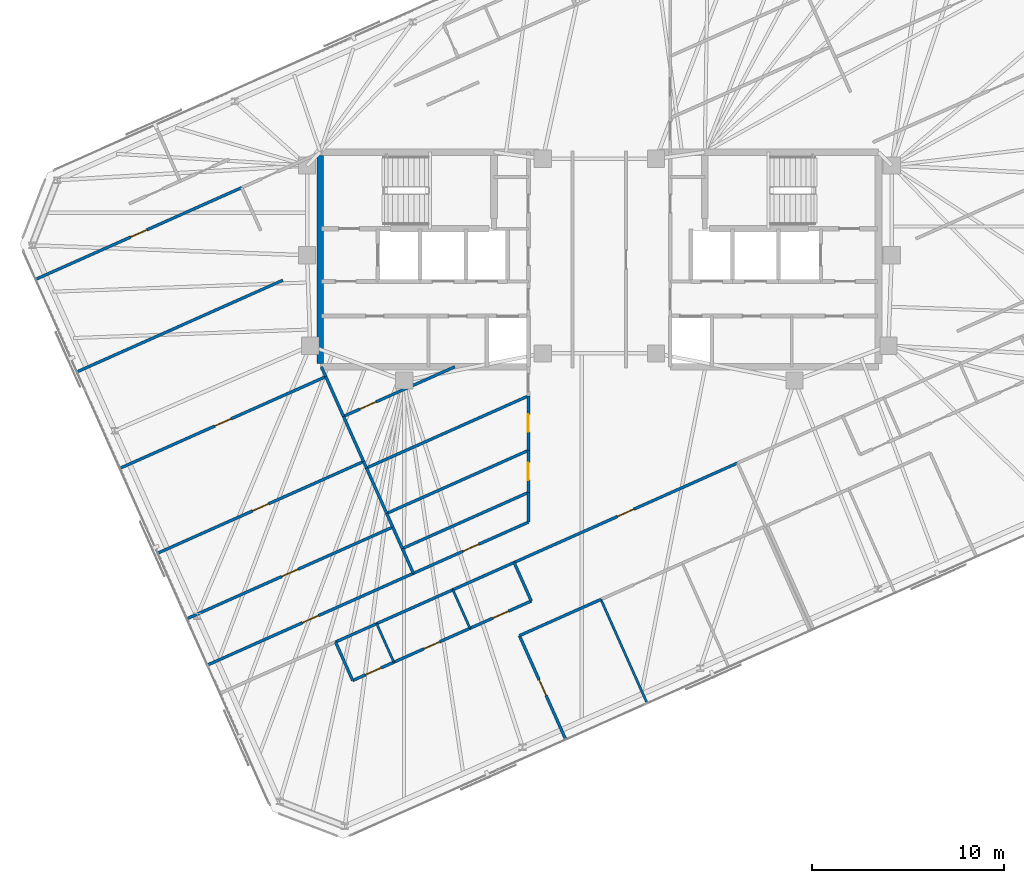
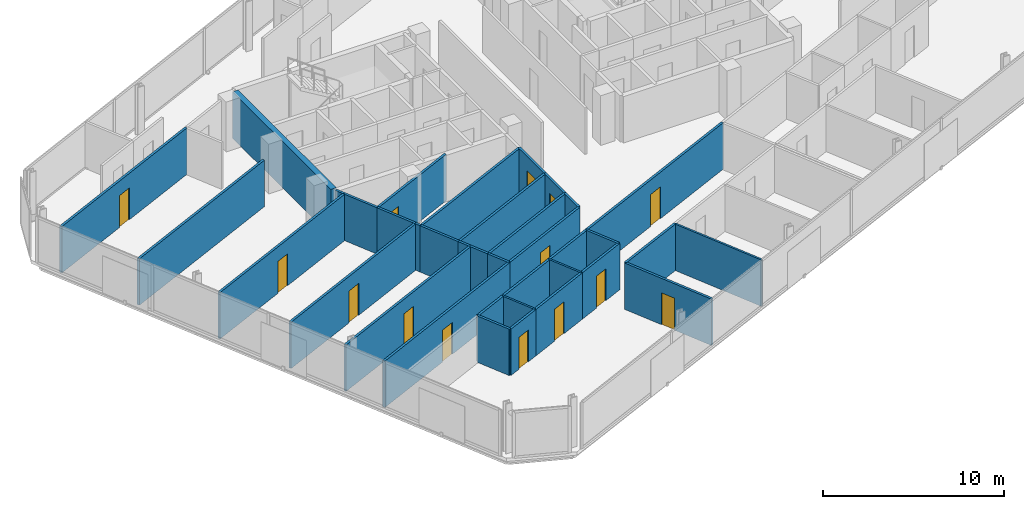
# One storey, part 13 of 19: 37 walls, 14 doors, 14 openings.
"""IFC4 building model written with IfcOpenShell, lengths in metres."""

from ifc_helpers import new_model, si_unit, direction, frame, frame_2d, origin, place, context, subcontext, project, spatial, rectangle, extrude, material, layer, layer_set, type_object, element, fill, save


model = new_model("IFC4")

# Units and contexts
model_context = context("Model", 3, precision=1e-05, world=origin(), true_north=direction((0.0, 1.0)))
body_context = subcontext(model_context, "Body", "Model", "MODEL_VIEW")
ifc_project = project(units=[si_unit("LENGTHUNIT", "METRE"), si_unit("AREAUNIT", "SQUARE_METRE"), si_unit("VOLUMEUNIT", "CUBIC_METRE"), si_unit("PLANEANGLEUNIT", "RADIAN"), si_unit("MASSUNIT", "GRAM", prefix="KILO")], contexts=[model_context])

# Site, building, storey
site_placement = place(None, origin())
site = spatial("IfcSite", under=ifc_project, at=site_placement, CompositionType="ELEMENT")
building_placement = place(site_placement, origin())
building = spatial("IfcBuilding", under=site, at=building_placement, Name="Menara Jurai Vektor", CompositionType="ELEMENT")
storey_placement = place(building_placement, frame((0.0, 0.0, 281.89990234375)))
storey = spatial("IfcBuildingStorey", under=building, at=storey_placement, Name="L75", CompositionType="ELEMENT", Elevation=281.89990234375)

# Wall, opening, door
ifc_material_1 = material(Name="Gypsum Fireboard Partition", Category="gypsum")
ifc_layer_1 = layer(ifc_material_1, 0.14990234375)
ifc_layer_set_1 = layer_set([ifc_layer_1], Name="Gypsum Fireboard Partition")
wall_type_1 = type_object("IfcWallType", Name="INT-WALL-CORR-150", PredefinedType="PARTITIONING", material=ifc_layer_set_1)
wall_1_placement = place(storey_placement, frame((-4.445068359375, -15.808349609375, 0.0), z_axis=(0.0, 0.0, 1.0), x_axis=(0.913546853922, 0.406733506966, 0.0)))
wall_1 = element("IfcWall", 1, at=wall_1_placement, inside=storey, type_object=wall_type_1, Name="Interior Wall IW-150 L75", PredefinedType="PARTITIONING", context=body_context, shape_type="SweptSolid", body=[
    extrude(rectangle(XDim=12.7509765625, YDim=0.14990234375, at=frame_2d((6.37548828125, 0.0))), origin(), (0.0, 0.0, 1.0), 3.125),
])
opening_1_placement = place(wall_1_placement, frame((5.900390625, 0.0, 0.0)))
opening_1 = element("IfcOpeningElement", 2, at=opening_1_placement, cuts=wall_1, Name="Opening D75-12", PredefinedType="OPENING", context=body_context, shape_type="SweptSolid", body=[
    extrude(rectangle(XDim=0.949951171875, YDim=2.14990234375, at=frame_2d((0.47509765625, 1.074951171875))), frame((0.0, 0.0849609375, 0.0), z_axis=(0.0, -1.0, 0.0), x_axis=(1.0, 0.0, 0.0)), (0.0, 0.0, 1.0), 0.169921875),
])
ifc_material_2 = material(Name="Solid Core Timber Fire Door", Category="wood")
door_type_1 = type_object("IfcDoorType", Name="DR-ENTRY-950", OperationType="NOTDEFINED", PredefinedType="DOOR", material=ifc_material_2)
door_1_placement = place(opening_1_placement, origin())
door_1 = element("IfcDoor", 3, at=door_1_placement, inside=storey, type_object=door_type_1, Name="Interior Door D75-12", OperationType="SINGLE_SWING_LEFT", OverallHeight=2.14990234375, OverallWidth=0.949951171875, PredefinedType="DOOR", context=body_context, shape_type="SweptSolid", body=[
    extrude(rectangle(XDim=0.949951171875, YDim=2.14990234375, at=frame_2d((0.47509765625, 1.074951171875))), frame((0.0, 0.02490234375, 0.0), z_axis=(0.0, -1.0, 0.0), x_axis=(1.0, 0.0, 0.0)), (0.0, 0.0, 1.0), 0.050048828125),
])
fill(opening_1, door_1)

# Walls
wall_2_placement = place(storey_placement, frame((-13.76318359375, -19.95703125, 0.0), z_axis=(0.0, 0.0, 1.0), x_axis=(0.913541436194, 0.406745675276, 0.0)))
element("IfcWall", 4, at=wall_2_placement, inside=storey, type_object=wall_type_1, Name="Interior Wall IW-150 L75", PredefinedType="PARTITIONING", context=body_context, shape_type="SweptSolid", body=[
    extrude(rectangle(XDim=2.349853515625, YDim=0.14990234375, at=frame_2d((1.1748046875, 0.0))), origin(), (0.0, 0.0, 1.0), 3.125),
])
wall_3_placement = place(storey_placement, frame((-11.616455078125, -19.001220703125, 0.0), z_axis=(0.0, 0.0, 1.0), x_axis=(0.913545193015, 0.406737237438, 0.0)))
element("IfcWall", 5, at=wall_3_placement, inside=storey, type_object=wall_type_1, Name="Interior Wall IW-150 L75", PredefinedType="PARTITIONING", context=body_context, shape_type="SweptSolid", body=[
    extrude(rectangle(XDim=4.349853515625, YDim=0.14990234375, at=frame_2d((2.1748046875, 0.0))), origin(), (0.0, 0.0, 1.0), 3.125),
])
wall_4_placement = place(storey_placement, frame((-7.642578125, -17.23193359375, 0.0), z_axis=(0.0, 0.0, 1.0), x_axis=(0.913549606868, 0.406727323635, 0.0)))
element("IfcWall", 6, at=wall_4_placement, inside=storey, type_object=wall_type_1, Name="Interior Wall IW-150 L75", PredefinedType="PARTITIONING", context=body_context, shape_type="SweptSolid", body=[
    extrude(rectangle(XDim=3.5, YDim=0.14990234375, at=frame_2d((1.75, 0.0))), origin(), (0.0, 0.0, 1.0), 3.125),
])

# Wall, opening, door
wall_5_placement = place(storey_placement, frame((-20.4453125, -21.15869140625, 0.0), z_axis=(0.0, 0.0, 1.0), x_axis=(0.913547681516, 0.406731648137, 0.0)))
wall_5 = element("IfcWall", 7, at=wall_5_placement, inside=storey, type_object=wall_type_1, Name="Interior Wall IW-150 L75", PredefinedType="PARTITIONING", context=body_context, shape_type="SweptSolid", body=[
    extrude(rectangle(XDim=11.760009765625, YDim=0.14990234375, at=frame_2d((5.8798828125, 0.0))), origin(), (0.0, 0.0, 1.0), 3.125),
])
opening_2_placement = place(wall_5_placement, frame((5.419921875, 0.0, 0.0)))
opening_2 = element("IfcOpeningElement", 8, at=opening_2_placement, cuts=wall_5, Name="Opening D75-25", PredefinedType="OPENING", context=body_context, shape_type="SweptSolid", body=[
    extrude(rectangle(XDim=0.919921875, YDim=2.14990234375, at=frame_2d((0.4599609375, 1.074951171875))), frame((0.0, 0.0849609375, 0.0), z_axis=(0.0, -1.0, 0.0), x_axis=(1.0, 0.0, 0.0)), (0.0, 0.0, 1.0), 0.169921875),
])
door_2_placement = place(opening_2_placement, origin())
door_2 = element("IfcDoor", 9, at=door_2_placement, inside=storey, type_object=door_type_1, Name="Interior Door D75-25", OperationType="SINGLE_SWING_RIGHT", OverallHeight=2.14990234375, OverallWidth=0.919921875, PredefinedType="DOOR", context=body_context, shape_type="SweptSolid", body=[
    extrude(rectangle(XDim=0.919921875, YDim=2.14990234375, at=frame_2d((0.4599609375, 1.074951171875))), frame((0.0, 0.02490234375, 0.0), z_axis=(0.0, -1.0, 0.0), x_axis=(1.0, 0.0, 0.0)), (0.0, 0.0, 1.0), 0.050048828125),
])
fill(opening_2, door_2)

wall_6_placement = place(storey_placement, frame((-29.404296875, -1.0361328125, 0.0), z_axis=(0.0, 0.0, 1.0), x_axis=(0.913544247064, 0.406739362069, 0.0)))
wall_6 = element("IfcWall", 10, at=wall_6_placement, inside=storey, type_object=wall_type_1, Name="Interior Wall IW-150 L75", PredefinedType="PARTITIONING", context=body_context, shape_type="SweptSolid", body=[
    extrude(rectangle(XDim=11.759765625, YDim=0.14990234375, at=frame_2d((5.8798828125, 0.0))), origin(), (0.0, 0.0, 1.0), 3.125),
])
opening_3_placement = place(wall_6_placement, frame((5.419921875, 0.0, 0.0)))
opening_3 = element("IfcOpeningElement", 11, at=opening_3_placement, cuts=wall_6, Name="Opening D75-29", PredefinedType="OPENING", context=body_context, shape_type="SweptSolid", body=[
    extrude(rectangle(XDim=0.919921875, YDim=2.14990234375, at=frame_2d((0.4599609375, 1.074951171875))), frame((0.0, 0.0849609375, 0.0), z_axis=(0.0, -1.0, 0.0), x_axis=(1.0, 0.0, 0.0)), (0.0, 0.0, 1.0), 0.169921875),
])
door_3_placement = place(opening_3_placement, origin())
door_3 = element("IfcDoor", 12, at=door_3_placement, inside=storey, type_object=door_type_1, Name="Interior Door D75-29", OperationType="SINGLE_SWING_RIGHT", OverallHeight=2.14990234375, OverallWidth=0.919921875, PredefinedType="DOOR", context=body_context, shape_type="SweptSolid", body=[
    extrude(rectangle(XDim=0.919921875, YDim=2.14990234375, at=frame_2d((0.4599609375, 1.074951171875))), frame((0.0, 0.02490234375, 0.0), z_axis=(0.0, -1.0, 0.0), x_axis=(1.0, 0.0, 0.0)), (0.0, 0.0, 1.0), 0.050048828125),
])
fill(opening_3, door_3)

wall_7_placement = place(storey_placement, frame((-9.701904296875, -16.37548828125, 0.0), z_axis=(0.0, 0.0, 1.0), x_axis=(0.913552389019, 0.406721074594, 0.0)))
wall_7 = element("IfcWall", 13, at=wall_7_placement, inside=storey, type_object=wall_type_1, Name="Interior Wall IW-150 L75", PredefinedType="PARTITIONING", context=body_context, shape_type="SweptSolid", body=[
    extrude(rectangle(XDim=6.56982421875, YDim=0.14990234375, at=frame_2d((3.284912109375, 0.0))), origin(), (0.0, 0.0, 1.0), 3.125),
])
opening_4_placement = place(wall_7_placement, frame((2.824951171875, 0.0, 0.0)))
opening_4 = element("IfcOpeningElement", 14, at=opening_4_placement, cuts=wall_7, Name="Opening D75-32", PredefinedType="OPENING", context=body_context, shape_type="SweptSolid", body=[
    extrude(rectangle(XDim=0.919921875, YDim=2.14990234375, at=frame_2d((0.4599609375, 1.074951171875))), frame((0.0, 0.0849609375, 0.0), z_axis=(0.0, -1.0, 0.0), x_axis=(1.0, 0.0, 0.0)), (0.0, 0.0, 1.0), 0.169921875),
])
door_4_placement = place(opening_4_placement, origin())
door_4 = element("IfcDoor", 15, at=door_4_placement, inside=storey, type_object=door_type_1, Name="Interior Door D75-32", OperationType="SINGLE_SWING_LEFT", OverallHeight=2.14990234375, OverallWidth=0.919921875, PredefinedType="DOOR", context=body_context, shape_type="SweptSolid", body=[
    extrude(rectangle(XDim=0.919921875, YDim=2.14990234375, at=frame_2d((0.4599609375, 1.074951171875))), frame((0.0, 0.02490234375, 0.0), z_axis=(0.0, -1.0, 0.0), x_axis=(1.0, 0.0, 0.0)), (0.0, 0.0, 1.0), 0.050048828125),
])
fill(opening_4, door_4)

# Wall
wall_8_placement = place(storey_placement, frame((-3.699951171875, -13.703369140625, 0.0), z_axis=(0.0, 0.0, 1.0), x_axis=(-0.000157529929, 0.999999987592, 0.0)))
element("IfcWall", 16, at=wall_8_placement, inside=storey, type_object=wall_type_1, Name="Interior Wall IW-150 L75", PredefinedType="PARTITIONING", context=body_context, shape_type="SweptSolid", body=[
    extrude(rectangle(XDim=1.5498046875, YDim=0.14990234375, at=frame_2d((0.77490234375, 0.0))), origin(), (0.0, 0.0, 1.0), 3.125),
])

# Wall, opening, door
wall_9_placement = place(storey_placement, frame((-3.7001953125, -12.153564453125, 0.0), z_axis=(0.0, 0.0, 1.0), x_axis=(0.000111222333, 0.999999993815, 0.0)))
wall_9 = element("IfcWall", 17, at=wall_9_placement, inside=storey, type_object=wall_type_1, Name="Interior Wall IW-150 L75", PredefinedType="PARTITIONING", context=body_context, shape_type="SweptSolid", body=[
    extrude(rectangle(XDim=2.195068359375, YDim=0.14990234375, at=frame_2d((1.09765625, 0.0))), origin(), (0.0, 0.0, 1.0), 3.125),
])
opening_5_placement = place(wall_9_placement, frame((0.637451171875, 0.0, 0.0)))
opening_5 = element("IfcOpeningElement", 18, at=opening_5_placement, cuts=wall_9, Name="Opening D75-33", PredefinedType="OPENING", context=body_context, shape_type="SweptSolid", body=[
    extrude(rectangle(XDim=0.919921875, YDim=2.14990234375, at=frame_2d((0.4599609375, 1.074951171875))), frame((0.0, 0.0849609375, 0.0), z_axis=(0.0, -1.0, 0.0), x_axis=(1.0, 0.0, 0.0)), (0.0, 0.0, 1.0), 0.169921875),
])
door_5_placement = place(opening_5_placement, origin())
door_5 = element("IfcDoor", 19, at=door_5_placement, inside=storey, type_object=door_type_1, Name="Interior Door D75-33", OperationType="SINGLE_SWING_RIGHT", OverallHeight=2.14990234375, OverallWidth=0.919921875, PredefinedType="DOOR", context=body_context, shape_type="SweptSolid", body=[
    extrude(rectangle(XDim=0.919921875, YDim=2.14990234375, at=frame_2d((0.4599609375, 1.074951171875))), frame((0.0, 0.02490234375, 0.0), z_axis=(0.0, -1.0, 0.0), x_axis=(1.0, 0.0, 0.0)), (0.0, 0.0, 1.0), 0.050048828125),
])
fill(opening_5, door_5)

wall_10_placement = place(storey_placement, frame((-3.699951171875, -9.95849609375, 0.0), z_axis=(0.0, 0.0, 1.0), x_axis=(-0.000171909917, 0.999999985223, 0.0)))
wall_10 = element("IfcWall", 20, at=wall_10_placement, inside=storey, type_object=wall_type_1, Name="Interior Wall IW-150 L75", PredefinedType="PARTITIONING", context=body_context, shape_type="SweptSolid", body=[
    extrude(rectangle(XDim=2.84033203125, YDim=0.14990234375, at=frame_2d((1.420166015625, 0.0))), origin(), (0.0, 0.0, 1.0), 3.125),
])
opening_6_placement = place(wall_10_placement, frame((0.960205078125, 0.0, 0.0)))
opening_6 = element("IfcOpeningElement", 21, at=opening_6_placement, cuts=wall_10, Name="Opening D75-34", PredefinedType="OPENING", context=body_context, shape_type="SweptSolid", body=[
    extrude(rectangle(XDim=0.919921875, YDim=2.14990234375, at=frame_2d((0.4599609375, 1.074951171875))), frame((0.0, 0.0849609375, 0.0), z_axis=(0.0, -1.0, 0.0), x_axis=(1.0, 0.0, 0.0)), (0.0, 0.0, 1.0), 0.169921875),
])
door_6_placement = place(opening_6_placement, origin())
door_6 = element("IfcDoor", 22, at=door_6_placement, inside=storey, type_object=door_type_1, Name="Interior Door D75-34", OperationType="SINGLE_SWING_LEFT", OverallHeight=2.14990234375, OverallWidth=0.919921875, PredefinedType="DOOR", context=body_context, shape_type="SweptSolid", body=[
    extrude(rectangle(XDim=0.919921875, YDim=2.14990234375, at=frame_2d((0.4599609375, 1.074951171875))), frame((0.0, 0.02490234375, 0.0), z_axis=(0.0, -1.0, 0.0), x_axis=(1.0, 0.0, 0.0)), (0.0, 0.0, 1.0), 0.050048828125),
])
fill(opening_6, door_6)

# Wall
wall_11_placement = place(storey_placement, frame((-12.868408203125, -21.966796875, 0.0), z_axis=(0.0, 0.0, 1.0), x_axis=(-0.406725294076, 0.913550510459, 0.0)))
element("IfcWall", 23, at=wall_11_placement, inside=storey, type_object=wall_type_1, Name="Interior Wall IW-150 L75", PredefinedType="PARTITIONING", context=body_context, shape_type="SweptSolid", body=[
    extrude(rectangle(XDim=2.199951171875, YDim=0.14990234375, at=frame_2d((1.10009765625, 0.0))), origin(), (0.0, 0.0, 1.0), 3.125),
])

# Wall, opening, door
wall_12_placement = place(storey_placement, frame((-12.868408203125, -21.966796875, 0.0), z_axis=(0.0, 0.0, 1.0), x_axis=(0.913541436194, 0.406745675276, 0.0)))
wall_12 = element("IfcWall", 24, at=wall_12_placement, inside=storey, type_object=wall_type_1, Name="Interior Wall IW-150 L75", PredefinedType="PARTITIONING", context=body_context, shape_type="SweptSolid", body=[
    extrude(rectangle(XDim=2.349853515625, YDim=0.14990234375, at=frame_2d((1.1748046875, 0.0))), origin(), (0.0, 0.0, 1.0), 3.125),
])
opening_7_placement = place(wall_12_placement, frame((0.735107421875, 0.0, 0.0)))
opening_7 = element("IfcOpeningElement", 25, at=opening_7_placement, cuts=wall_12, Name="Opening D75-13", PredefinedType="OPENING", context=body_context, shape_type="SweptSolid", body=[
    extrude(rectangle(XDim=0.8798828125, YDim=2.14990234375, at=frame_2d((0.43994140625, 1.074951171875))), frame((0.0, 0.0849609375, 0.0), z_axis=(0.0, -1.0, 0.0), x_axis=(1.0, 0.0, 0.0)), (0.0, 0.0, 1.0), 0.169921875),
])
ifc_material_3 = material(Name="Moisture-Resistant Timber Door", Category="wood")
door_type_2 = type_object("IfcDoorType", Name="DR-BATH-880", OperationType="NOTDEFINED", PredefinedType="DOOR", material=ifc_material_3)
door_7_placement = place(opening_7_placement, origin())
door_7 = element("IfcDoor", 26, at=door_7_placement, inside=storey, type_object=door_type_2, Name="Interior Door D75-13", OperationType="SINGLE_SWING_RIGHT", OverallHeight=2.14990234375, OverallWidth=0.8798828125, PredefinedType="DOOR", context=body_context, shape_type="SweptSolid", body=[
    extrude(rectangle(XDim=0.8798828125, YDim=2.14990234375, at=frame_2d((0.43994140625, 1.074951171875))), frame((0.0, 0.02490234375, 0.0), z_axis=(0.0, -1.0, 0.0), x_axis=(1.0, 0.0, 0.0)), (0.0, 0.0, 1.0), 0.050048828125),
])
fill(opening_7, door_7)

wall_13_placement = place(storey_placement, frame((-10.7216796875, -21.010986328125, 0.0), z_axis=(0.0, 0.0, 1.0), x_axis=(0.913545193015, 0.406737237438, 0.0)))
wall_13 = element("IfcWall", 27, at=wall_13_placement, inside=storey, type_object=wall_type_1, Name="Interior Wall IW-150 L75", PredefinedType="PARTITIONING", context=body_context, shape_type="SweptSolid", body=[
    extrude(rectangle(XDim=4.349853515625, YDim=0.14990234375, at=frame_2d((2.1748046875, 0.0))), origin(), (0.0, 0.0, 1.0), 3.125),
])
opening_8_placement = place(wall_13_placement, frame((1.72509765625, 0.0, 0.0)))
opening_8 = element("IfcOpeningElement", 28, at=opening_8_placement, cuts=wall_13, Name="Opening D75-14", PredefinedType="OPENING", context=body_context, shape_type="SweptSolid", body=[
    extrude(rectangle(XDim=0.89990234375, YDim=2.14990234375, at=frame_2d((0.449951171875, 1.074951171875))), frame((0.0, 0.0849609375, 0.0), z_axis=(0.0, -1.0, 0.0), x_axis=(1.0, 0.0, 0.0)), (0.0, 0.0, 1.0), 0.169921875),
])
ifc_material_4 = material(Name="Acoustic Timber Interior Door", Category="wood")
door_type_3 = type_object("IfcDoorType", Name="DR-ROOM-900", OperationType="NOTDEFINED", PredefinedType="DOOR", material=ifc_material_4)
door_8_placement = place(opening_8_placement, origin())
door_8 = element("IfcDoor", 29, at=door_8_placement, inside=storey, type_object=door_type_3, Name="Interior Door D75-14", OperationType="SINGLE_SWING_LEFT", OverallHeight=2.14990234375, OverallWidth=0.89990234375, PredefinedType="DOOR", context=body_context, shape_type="SweptSolid", body=[
    extrude(rectangle(XDim=0.89990234375, YDim=2.14990234375, at=frame_2d((0.449951171875, 1.074951171875))), frame((0.0, 0.02490234375, 0.0), z_axis=(0.0, -1.0, 0.0), x_axis=(1.0, 0.0, 0.0)), (0.0, 0.0, 1.0), 0.050048828125),
])
fill(opening_8, door_8)

wall_14_placement = place(storey_placement, frame((-6.747802734375, -19.24169921875, 0.0), z_axis=(0.0, 0.0, 1.0), x_axis=(0.913549606868, 0.406727323635, 0.0)))
wall_14 = element("IfcWall", 30, at=wall_14_placement, inside=storey, type_object=wall_type_1, Name="Interior Wall IW-150 L75", PredefinedType="PARTITIONING", context=body_context, shape_type="SweptSolid", body=[
    extrude(rectangle(XDim=3.5, YDim=0.14990234375, at=frame_2d((1.75, 0.0))), origin(), (0.0, 0.0, 1.0), 3.125),
])
opening_9_placement = place(wall_14_placement, frame((1.31005859375, 0.0, 0.0)))
opening_9 = element("IfcOpeningElement", 31, at=opening_9_placement, cuts=wall_14, Name="Opening D75-15", PredefinedType="OPENING", context=body_context, shape_type="SweptSolid", body=[
    extrude(rectangle(XDim=0.8798828125, YDim=2.14990234375, at=frame_2d((0.43994140625, 1.074951171875))), frame((0.0, 0.0849609375, 0.0), z_axis=(0.0, -1.0, 0.0), x_axis=(1.0, 0.0, 0.0)), (0.0, 0.0, 1.0), 0.169921875),
])
door_9_placement = place(opening_9_placement, origin())
door_9 = element("IfcDoor", 32, at=door_9_placement, inside=storey, type_object=door_type_2, Name="Interior Door D75-15", OperationType="SINGLE_SWING_RIGHT", OverallHeight=2.14990234375, OverallWidth=0.8798828125, PredefinedType="DOOR", context=body_context, shape_type="SweptSolid", body=[
    extrude(rectangle(XDim=0.8798828125, YDim=2.14990234375, at=frame_2d((0.43994140625, 1.074951171875))), frame((0.0, 0.02490234375, 0.0), z_axis=(0.0, -1.0, 0.0), x_axis=(1.0, 0.0, 0.0)), (0.0, 0.0, 1.0), 0.050048828125),
])
fill(opening_9, door_9)

# Wall
wall_15_placement = place(storey_placement, frame((-3.55029296875, -17.818115234375, 0.0), z_axis=(0.0, 0.0, 1.0), x_axis=(-0.406725294076, 0.913550510459, 0.0)))
element("IfcWall", 33, at=wall_15_placement, inside=storey, type_object=wall_type_1, Name="Interior Wall IW-150 L75", PredefinedType="PARTITIONING", context=body_context, shape_type="SweptSolid", body=[
    extrude(rectangle(XDim=2.199951171875, YDim=0.14990234375, at=frame_2d((1.10009765625, 0.0))), origin(), (0.0, 0.0, 1.0), 3.125),
])

# Wall, opening, door
wall_16_placement = place(storey_placement, frame((-1.753662109375, -25.04736328125, 0.0), z_axis=(0.0, 0.0, 1.0), x_axis=(-0.406714717734, 0.913555219119, 0.0)))
wall_16 = element("IfcWall", 34, at=wall_16_placement, inside=storey, type_object=wall_type_1, Name="Interior Wall IW-150 L75", PredefinedType="PARTITIONING", context=body_context, shape_type="SweptSolid", body=[
    extrude(rectangle(XDim=5.934814453125, YDim=0.14990234375, at=frame_2d((2.96728515625, 0.0))), origin(), (0.0, 0.0, 1.0), 3.125),
])
opening_10_placement = place(wall_16_placement, frame((2.517578125, 0.0, 0.0)))
opening_10 = element("IfcOpeningElement", 35, at=opening_10_placement, cuts=wall_16, Name="Opening D75-16", PredefinedType="OPENING", context=body_context, shape_type="SweptSolid", body=[
    extrude(rectangle(XDim=0.89990234375, YDim=2.14990234375, at=frame_2d((0.449951171875, 1.074951171875))), frame((0.0, 0.0849609375, 0.0), z_axis=(0.0, -1.0, 0.0), x_axis=(1.0, 0.0, 0.0)), (0.0, 0.0, 1.0), 0.169921875),
])
door_10_placement = place(opening_10_placement, origin())
door_10 = element("IfcDoor", 36, at=door_10_placement, inside=storey, type_object=door_type_3, Name="Interior Door D75-16", OperationType="SINGLE_SWING_LEFT", OverallHeight=2.14990234375, OverallWidth=0.89990234375, PredefinedType="DOOR", context=body_context, shape_type="SweptSolid", body=[
    extrude(rectangle(XDim=0.89990234375, YDim=2.14990234375, at=frame_2d((0.449951171875, 1.074951171875))), frame((0.0, 0.02490234375, 0.0), z_axis=(0.0, -1.0, 0.0), x_axis=(1.0, 0.0, 0.0)), (0.0, 0.0, 1.0), 0.050048828125),
])
fill(opening_10, door_10)

# Wall
wall_17_placement = place(storey_placement, frame((-4.16748046875, -19.62548828125, 0.0), z_axis=(0.0, 0.0, 1.0), x_axis=(0.913536363976, 0.406757067172, 0.0)))
element("IfcWall", 37, at=wall_17_placement, inside=storey, type_object=wall_type_1, Name="Interior Wall IW-150 L75", PredefinedType="PARTITIONING", context=body_context, shape_type="SweptSolid", body=[
    extrude(rectangle(XDim=4.64990234375, YDim=0.14990234375, at=frame_2d((2.324951171875, 0.0))), origin(), (0.0, 0.0, 1.0), 3.125),
])

# Wall, opening, door
wall_18_placement = place(storey_placement, frame((-21.520263671875, -18.744384765625, 0.0), z_axis=(0.0, 0.0, 1.0), x_axis=(0.913539967617, 0.406748973651, 0.0)))
wall_18 = element("IfcWall", 38, at=wall_18_placement, inside=storey, type_object=wall_type_1, Name="Interior Wall IW-150 L75", PredefinedType="PARTITIONING", context=body_context, shape_type="SweptSolid", body=[
    extrude(rectangle(XDim=11.76025390625, YDim=0.14990234375, at=frame_2d((5.880126953125, 0.0))), origin(), (0.0, 0.0, 1.0), 3.125),
])
opening_11_placement = place(wall_18_placement, frame((5.419921875, 0.0, 0.0)))
opening_11 = element("IfcOpeningElement", 39, at=opening_11_placement, cuts=wall_18, Name="Opening D75-26", PredefinedType="OPENING", context=body_context, shape_type="SweptSolid", body=[
    extrude(rectangle(XDim=0.919921875, YDim=2.14990234375, at=frame_2d((0.4599609375, 1.074951171875))), frame((0.0, 0.0849609375, 0.0), z_axis=(0.0, -1.0, 0.0), x_axis=(1.0, 0.0, 0.0)), (0.0, 0.0, 1.0), 0.169921875),
])
door_11_placement = place(opening_11_placement, origin())
door_11 = element("IfcDoor", 40, at=door_11_placement, inside=storey, type_object=door_type_1, Name="Interior Door D75-26", OperationType="SINGLE_SWING_LEFT", OverallHeight=2.14990234375, OverallWidth=0.919921875, PredefinedType="DOOR", context=body_context, shape_type="SweptSolid", body=[
    extrude(rectangle(XDim=0.919921875, YDim=2.14990234375, at=frame_2d((0.4599609375, 1.074951171875))), frame((0.0, 0.02490234375, 0.0), z_axis=(0.0, -1.0, 0.0), x_axis=(1.0, 0.0, 0.0)), (0.0, 0.0, 1.0), 0.050048828125),
])
fill(opening_11, door_11)

# Walls
wall_19_placement = place(storey_placement, frame((-9.701904296875, -16.37548828125, 0.0), z_axis=(0.0, 0.0, 1.0), x_axis=(-0.406762319034, 0.913534025537, 0.0)))
element("IfcWall", 41, at=wall_19_placement, inside=storey, type_object=wall_type_1, Name="Interior Wall IW-150 L75", PredefinedType="PARTITIONING", context=body_context, shape_type="SweptSolid", body=[
    extrude(rectangle(XDim=1.415771484375, YDim=0.14990234375, at=frame_2d((0.7080078125, 0.0))), origin(), (0.0, 0.0, 1.0), 3.125),
])
wall_20_placement = place(storey_placement, frame((-10.27783203125, -15.08203125, 0.0), z_axis=(0.0, 0.0, 1.0), x_axis=(-0.406655262741, 0.913581686159, 0.0)))
element("IfcWall", 42, at=wall_20_placement, inside=storey, type_object=wall_type_1, Name="Interior Wall IW-150 L75", PredefinedType="PARTITIONING", context=body_context, shape_type="SweptSolid", body=[
    extrude(rectangle(XDim=1.22705078125, YDim=0.14990234375, at=frame_2d((0.613525390625, 0.0))), origin(), (0.0, 0.0, 1.0), 3.125),
])

# Wall, opening, door
wall_21_placement = place(storey_placement, frame((-23.04345703125, -15.322998046875, 0.0), z_axis=(0.0, 0.0, 1.0), x_axis=(0.913547681516, 0.406731648137, 0.0)))
wall_21 = element("IfcWall", 43, at=wall_21_placement, inside=storey, type_object=wall_type_1, Name="Interior Wall IW-150 L75", PredefinedType="PARTITIONING", context=body_context, shape_type="SweptSolid", body=[
    extrude(rectangle(XDim=11.760009765625, YDim=0.14990234375, at=frame_2d((5.8798828125, 0.0))), origin(), (0.0, 0.0, 1.0), 3.125),
])
opening_12_placement = place(wall_21_placement, frame((5.419921875, 0.0, 0.0)))
opening_12 = element("IfcOpeningElement", 44, at=opening_12_placement, cuts=wall_21, Name="Opening D75-27", PredefinedType="OPENING", context=body_context, shape_type="SweptSolid", body=[
    extrude(rectangle(XDim=0.919921875, YDim=2.14990234375, at=frame_2d((0.4599609375, 1.074951171875))), frame((0.0, 0.0849609375, 0.0), z_axis=(0.0, -1.0, 0.0), x_axis=(1.0, 0.0, 0.0)), (0.0, 0.0, 1.0), 0.169921875),
])
door_12_placement = place(opening_12_placement, origin())
door_12 = element("IfcDoor", 45, at=door_12_placement, inside=storey, type_object=door_type_1, Name="Interior Door D75-27", OperationType="SINGLE_SWING_RIGHT", OverallHeight=2.14990234375, OverallWidth=0.919921875, PredefinedType="DOOR", context=body_context, shape_type="SweptSolid", body=[
    extrude(rectangle(XDim=0.919921875, YDim=2.14990234375, at=frame_2d((0.4599609375, 1.074951171875))), frame((0.0, 0.02490234375, 0.0), z_axis=(0.0, -1.0, 0.0), x_axis=(1.0, 0.0, 0.0)), (0.0, 0.0, 1.0), 0.050048828125),
])
fill(opening_12, door_12)

# Walls
wall_22_placement = place(storey_placement, frame((-10.77685546875, -13.9609375, 0.0), z_axis=(0.0, 0.0, 1.0), x_axis=(-0.406720744325, 0.913552536057, 0.0)))
element("IfcWall", 46, at=wall_22_placement, inside=storey, type_object=wall_type_1, Name="Interior Wall IW-150 L75", PredefinedType="PARTITIONING", context=body_context, shape_type="SweptSolid", body=[
    extrude(rectangle(XDim=0.77783203125, YDim=0.14990234375, at=frame_2d((0.388916015625, 0.0))), origin(), (0.0, 0.0, 1.0), 3.125),
])
wall_23_placement = place(storey_placement, frame((-11.09326171875, -13.250244140625, 0.0), z_axis=(0.0, 0.0, 1.0), x_axis=(-0.406723252866, 0.91355141923, 0.0)))
element("IfcWall", 47, at=wall_23_placement, inside=storey, type_object=wall_type_1, Name="Interior Wall IW-150 L75", PredefinedType="PARTITIONING", context=body_context, shape_type="SweptSolid", body=[
    extrude(rectangle(XDim=2.594970703125, YDim=0.14990234375, at=frame_2d((1.29736328125, 0.0))), origin(), (0.0, 0.0, 1.0), 3.125),
])
wall_24_placement = place(storey_placement, frame((-12.148681640625, -10.879638671875, 0.0), z_axis=(0.0, 0.0, 1.0), x_axis=(-0.406868995548, 0.913486519037, 0.0)))
element("IfcWall", 48, at=wall_24_placement, inside=storey, type_object=wall_type_1, Name="Interior Wall IW-150 L75", PredefinedType="PARTITIONING", context=body_context, shape_type="SweptSolid", body=[
    extrude(rectangle(XDim=0.3720703125, YDim=0.14990234375, at=frame_2d((0.18603515625, 0.0))), origin(), (0.0, 0.0, 1.0), 3.125),
])

# Wall, opening, door
wall_25_placement = place(storey_placement, frame((-25.014404296875, -10.89599609375, 0.0), z_axis=(0.0, 0.0, 1.0), x_axis=(0.913544247064, 0.406739362069, 0.0)))
wall_25 = element("IfcWall", 49, at=wall_25_placement, inside=storey, type_object=wall_type_1, Name="Interior Wall IW-150 L75", PredefinedType="PARTITIONING", context=body_context, shape_type="SweptSolid", body=[
    extrude(rectangle(XDim=11.759765625, YDim=0.14990234375, at=frame_2d((5.8798828125, 0.0))), origin(), (0.0, 0.0, 1.0), 3.125),
])
opening_13_placement = place(wall_25_placement, frame((5.419921875, 0.0, 0.0)))
opening_13 = element("IfcOpeningElement", 50, at=opening_13_placement, cuts=wall_25, Name="Opening D75-28", PredefinedType="OPENING", context=body_context, shape_type="SweptSolid", body=[
    extrude(rectangle(XDim=0.919921875, YDim=2.14990234375, at=frame_2d((0.4599609375, 1.074951171875))), frame((0.0, 0.0849609375, 0.0), z_axis=(0.0, -1.0, 0.0), x_axis=(1.0, 0.0, 0.0)), (0.0, 0.0, 1.0), 0.169921875),
])
door_13_placement = place(opening_13_placement, origin())
door_13 = element("IfcDoor", 51, at=door_13_placement, inside=storey, type_object=door_type_1, Name="Interior Door D75-28", OperationType="SINGLE_SWING_LEFT", OverallHeight=2.14990234375, OverallWidth=0.919921875, PredefinedType="DOOR", context=body_context, shape_type="SweptSolid", body=[
    extrude(rectangle(XDim=0.919921875, YDim=2.14990234375, at=frame_2d((0.4599609375, 1.074951171875))), frame((0.0, 0.02490234375, 0.0), z_axis=(0.0, -1.0, 0.0), x_axis=(1.0, 0.0, 0.0)), (0.0, 0.0, 1.0), 0.050048828125),
])
fill(opening_13, door_13)

# Walls
wall_26_placement = place(storey_placement, frame((-12.300048828125, -10.539794921875, 0.0), z_axis=(0.0, 0.0, 1.0), x_axis=(-0.406788806475, 0.913522231216, 0.0)))
element("IfcWall", 52, at=wall_26_placement, inside=storey, type_object=wall_type_1, Name="Interior Wall IW-150 L75", PredefinedType="PARTITIONING", context=body_context, shape_type="SweptSolid", body=[
    extrude(rectangle(XDim=2.5771484375, YDim=0.14990234375, at=frame_2d((1.28857421875, 0.0))), origin(), (0.0, 0.0, 1.0), 3.125),
])
wall_27_placement = place(storey_placement, frame((-13.348388671875, -8.185546875, 0.0), z_axis=(0.0, 0.0, 1.0), x_axis=(-0.40673740295, 0.913545119324, 0.0)))
element("IfcWall", 53, at=wall_27_placement, inside=storey, type_object=wall_type_1, Name="Interior Wall IW-150 L75", PredefinedType="PARTITIONING", context=body_context, shape_type="SweptSolid", body=[
    extrude(rectangle(XDim=2.268798828125, YDim=0.14990234375, at=frame_2d((1.13427734375, 0.0))), origin(), (0.0, 0.0, 1.0), 3.125),
])
wall_28_placement = place(storey_placement, frame((-27.25439453125, -5.864990234375, 0.0), z_axis=(0.0, 0.0, 1.0), x_axis=(0.913547681516, 0.406731648137, 0.0)))
element("IfcWall", 54, at=wall_28_placement, inside=storey, type_object=wall_type_1, Name="Interior Wall IW-150 L75", PredefinedType="PARTITIONING", context=body_context, shape_type="SweptSolid", body=[
    extrude(rectangle(XDim=11.760009765625, YDim=0.14990234375, at=frame_2d((5.8798828125, 0.0))), origin(), (0.0, 0.0, 1.0), 3.125),
])
wall_29_placement = place(storey_placement, frame((-14.271240234375, -6.11279296875, 0.0), z_axis=(0.0, 0.0, 1.0), x_axis=(-0.406622099206, 0.913596447255, 0.0)))
element("IfcWall", 55, at=wall_29_placement, inside=storey, type_object=wall_type_1, Name="Interior Wall IW-150 L75", PredefinedType="PARTITIONING", context=body_context, shape_type="SweptSolid", body=[
    extrude(rectangle(XDim=0.56201171875, YDim=0.14990234375, at=frame_2d((0.281005859375, 0.0))), origin(), (0.0, 0.0, 1.0), 3.125),
])
wall_30_placement = place(storey_placement, frame((-10.27783203125, -15.08203125, 0.0), z_axis=(0.0, 0.0, 1.0), x_axis=(0.913549882956, 0.406726703513, 0.0)))
element("IfcWall", 56, at=wall_30_placement, inside=storey, type_object=wall_type_1, Name="Interior Wall IW-150 L75", PredefinedType="PARTITIONING", context=body_context, shape_type="SweptSolid", body=[
    extrude(rectangle(XDim=7.2001953125, YDim=0.14990234375, at=frame_2d((3.60009765625, 0.0))), origin(), (0.0, 0.0, 1.0), 3.125),
])
wall_31_placement = place(storey_placement, frame((-11.09326171875, -13.250244140625, 0.0), z_axis=(0.0, 0.0, 1.0), x_axis=(0.913543891457, 0.406740160767, 0.0)))
element("IfcWall", 57, at=wall_31_placement, inside=storey, type_object=wall_type_1, Name="Interior Wall IW-150 L75", PredefinedType="PARTITIONING", context=body_context, shape_type="SweptSolid", body=[
    extrude(rectangle(XDim=8.093017578125, YDim=0.14990234375, at=frame_2d((4.04638671875, 0.0))), origin(), (0.0, 0.0, 1.0), 3.125),
])
wall_32_placement = place(storey_placement, frame((-12.148681640625, -10.879638671875, 0.0), z_axis=(0.0, 0.0, 1.0), x_axis=(0.913542450291, 0.406743397631, 0.0)))
element("IfcWall", 58, at=wall_32_placement, inside=storey, type_object=wall_type_1, Name="Interior Wall IW-150 L75", PredefinedType="PARTITIONING", context=body_context, shape_type="SweptSolid", body=[
    extrude(rectangle(XDim=9.247802734375, YDim=0.14990234375, at=frame_2d((4.6240234375, 0.0))), origin(), (0.0, 0.0, 1.0), 3.125),
])

# Wall, opening, door
wall_33_placement = place(storey_placement, frame((-13.348388671875, -8.185546875, 0.0), z_axis=(0.0, 0.0, 1.0), x_axis=(0.913551673432, 0.406722681896, 0.0)))
wall_33 = element("IfcWall", 59, at=wall_33_placement, inside=storey, type_object=wall_type_1, Name="Interior Wall IW-150 L75", PredefinedType="PARTITIONING", context=body_context, shape_type="SweptSolid", body=[
    extrude(rectangle(XDim=6.35791015625, YDim=0.14990234375, at=frame_2d((3.178955078125, 0.0))), origin(), (0.0, 0.0, 1.0), 3.125),
])
opening_14_placement = place(wall_33_placement, frame((0.938720703125, 0.0, 0.0)))
opening_14 = element("IfcOpeningElement", 60, at=opening_14_placement, cuts=wall_33, Name="Opening D75-36", PredefinedType="OPENING", context=body_context, shape_type="SweptSolid", body=[
    extrude(rectangle(XDim=0.919921875, YDim=2.14990234375, at=frame_2d((0.4599609375, 1.074951171875))), frame((0.0, 0.0849609375, 0.0), z_axis=(0.0, -1.0, 0.0), x_axis=(1.0, 0.0, 0.0)), (0.0, 0.0, 1.0), 0.169921875),
])
door_14_placement = place(opening_14_placement, origin())
door_14 = element("IfcDoor", 61, at=door_14_placement, inside=storey, type_object=door_type_1, Name="Interior Door D75-36", OperationType="SINGLE_SWING_LEFT", OverallHeight=2.14990234375, OverallWidth=0.919921875, PredefinedType="DOOR", context=body_context, shape_type="SweptSolid", body=[
    extrude(rectangle(XDim=0.919921875, YDim=2.14990234375, at=frame_2d((0.4599609375, 1.074951171875))), frame((0.0, 0.02490234375, 0.0), z_axis=(0.0, -1.0, 0.0), x_axis=(1.0, 0.0, 0.0)), (0.0, 0.0, 1.0), 0.050048828125),
])
fill(opening_14, door_14)

# Walls
ifc_material_5 = material(Name="Gypsum Acoustic Stud Partition", Category="gypsum")
ifc_layer_2 = layer(ifc_material_5, 0.1201171875)
ifc_layer_set_2 = layer_set([ifc_layer_2], Name="Gypsum Acoustic Stud Partition")
wall_type_2 = type_object("IfcWallType", Name="INT-WALL-PART-120", PredefinedType="PARTITIONING", material=ifc_layer_set_2)
for number, where, z_axis, x_axis, name in (
    (62, (-10.7216796875, -21.010986328125, 0.0), (0.0, 0.0, 1.0), (-0.406725294076, 0.913550510459, 0.0), "Interior Wall IW-120 L75"),
    (63, (-6.747802734375, -19.24169921875, 0.0), (0.0, 0.0, 1.0), (-0.406725294076, 0.913550510459, 0.0), "Interior Wall IW-120 L75"),
):
    element("IfcWall", number, at=place(storey_placement, frame(where, z_axis=z_axis, x_axis=x_axis)), inside=storey, type_object=wall_type_2, Name=name, PredefinedType="PARTITIONING", context=body_context, shape_type="SweptSolid", body=[
        extrude(rectangle(XDim=2.199951171875, YDim=0.1201171875, at=frame_2d((1.10009765625, 0.0))), origin(), (0.0, 0.0, 1.0), 3.125),
    ])
wall_34_placement = place(storey_placement, frame((2.494384765625, -23.156005859375, 0.0), z_axis=(0.0, 0.0, 1.0), x_axis=(-0.406749048544, 0.913539934271, 0.0)))
element("IfcWall", 64, at=wall_34_placement, inside=storey, type_object=wall_type_2, Name="Interior Wall IW-120 L75", PredefinedType="PARTITIONING", context=body_context, shape_type="SweptSolid", body=[
    extrude(rectangle(XDim=5.93505859375, YDim=0.1201171875, at=frame_2d((2.967529296875, 0.0))), origin(), (0.0, 0.0, 1.0), 3.125),
])
ifc_material_6 = material(Name="Concrete C50/60", Category="concrete")
ifc_layer_3 = layer(ifc_material_6, 0.35009765625)
ifc_layer_set_3 = layer_set([ifc_layer_3], Name="Concrete C50/60")
wall_type_3 = type_object("IfcWallType", Name="STR-WALL-CORE350", PredefinedType="SHEAR", material=ifc_layer_set_3)
wall_35_placement = place(storey_placement, frame((-14.56005859375, -5.425048828125, 0.0), z_axis=(0.0, 0.0, 1.0), x_axis=(0.0, 1.0, 0.0)))
element("IfcWall", 65, at=wall_35_placement, inside=storey, type_object=wall_type_3, Name="Core Shear Wall CW-W-W L75", PredefinedType="SHEAR", context=body_context, shape_type="SweptSolid", body=[
    extrude(rectangle(XDim=10.85009765625, YDim=0.35009765625, at=frame_2d((5.425048828125, 0.0))), origin(), (0.0, 0.0, 1.0), 3.125),
])

save(model, "model.ifc")
